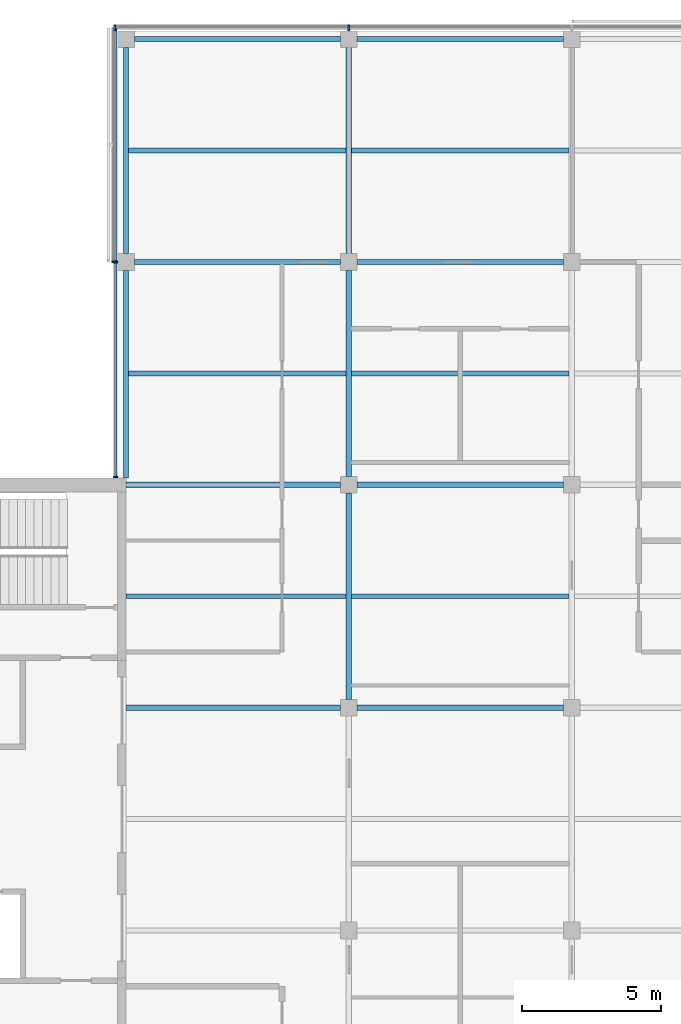
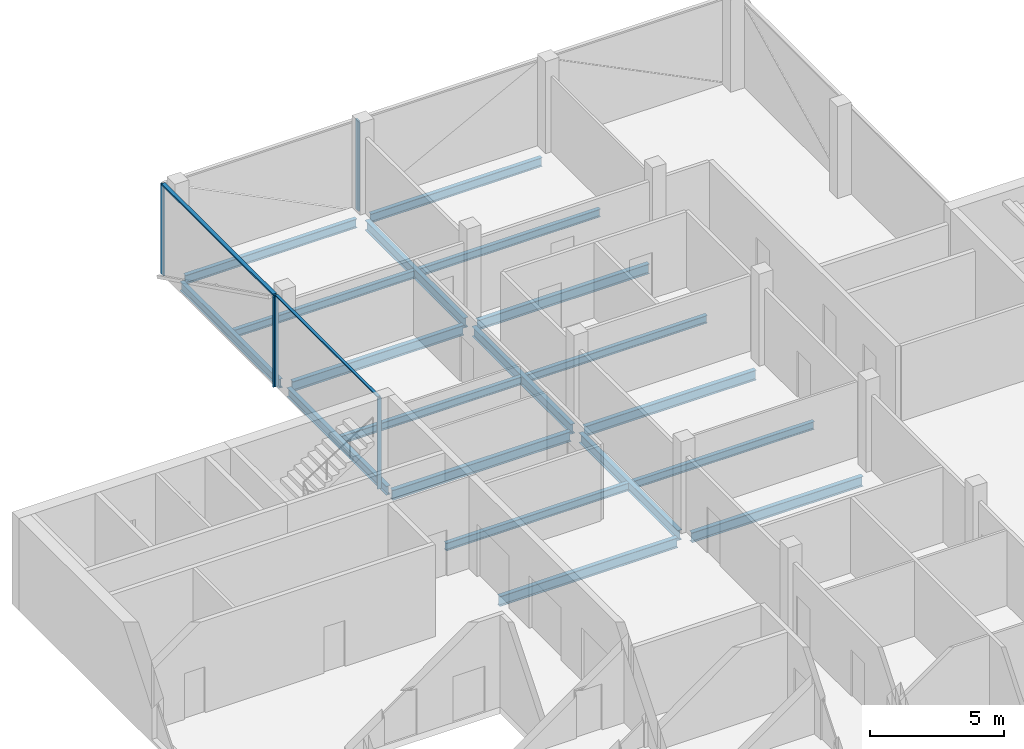
# One storey, part 5 of 16: 19 beams, 7 members, 3 elements without a shape of their own.
"""IFC4 building model written with IfcOpenShell, lengths in metres."""

from ifc_helpers import new_model, si_unit, direction, frame, origin, origin_2d, place, context, subcontext, project, spatial, rectangle, i_section, extrude, material, material_profile, profile_set, type_object, element, aggregate, save


model = new_model("IFC4")

# Units and contexts
model_context = context("Model", 3, precision=1e-05, world=origin(), true_north=direction((0.0, 1.0)))
body_context = subcontext(model_context, "Body", "Model", "MODEL_VIEW")
ifc_project = project(units=[si_unit("LENGTHUNIT", "METRE"), si_unit("AREAUNIT", "SQUARE_METRE"), si_unit("VOLUMEUNIT", "CUBIC_METRE"), si_unit("PLANEANGLEUNIT", "RADIAN"), si_unit("MASSUNIT", "GRAM", prefix="KILO")], contexts=[model_context])

# Site, building, storey
site_placement = place(None, origin())
site = spatial("IfcSite", under=ifc_project, at=site_placement, CompositionType="ELEMENT")
building_placement = place(site_placement, origin())
building = spatial("IfcBuilding", under=site, at=building_placement, Name="Crosswind Convention Tower", CompositionType="ELEMENT")
storey_placement = place(building_placement, frame((0.0, 0.0, 336.5)))
storey = spatial("IfcBuildingStorey", under=building, at=storey_placement, Name="L73", CompositionType="ELEMENT", Elevation=336.5)

# Beams
ifc_material_1 = material(Name="Steel S355", Category="steel")
ifc_material_profile_1 = material_profile(ifc_material_1, i_section(OverallWidth=0.177734375, OverallDepth=0.406494140625, WebThickness=0.0078125, FlangeThickness=0.0126953125, FilletRadius=0.01025390625, at=origin_2d()), Name="UB 406x178x60")
ifc_profile_set_1 = profile_set([ifc_material_profile_1], Name="Steel S355")
beam_type_1 = type_object("IfcBeamType", Name="Edge beam UB 406x178x60", PredefinedType="SPANDREL", material=ifc_profile_set_1)
beam_1_placement = place(storey_placement, frame((113.0, 112.25, -0.503173828125), z_axis=(0.0, 1.0, 0.0), x_axis=(-1.0, 0.0, 0.0)))
element("IfcBeam", 1, at=beam_1_placement, inside=storey, type_object=beam_type_1, Name="B15 L73 edge beam 3", PredefinedType="SPANDREL", context=body_context, shape_type="SweptSolid", body=[
    extrude(i_section(OverallWidth=0.177734375, OverallDepth=0.406494140625, WebThickness=0.0078125, FlangeThickness=0.0126953125, FilletRadius=0.01025390625, at=origin_2d()), origin(), (0.0, 0.0, 1.0), 7.449951171875),
])
for number, where, z_axis, x_axis, name in (
    (2, (113.0, 120.300048828125, -0.503173828125), (0.0, 1.0, 0.0), (-1.0, 0.0, 0.0), "B15 L73 edge beam 4"),
    (3, (113.300048828125, 128.0, -0.503173828125), (1.0, 0.0, 0.0), (0.0, 1.0, 0.0), "B15 L73 edge beam 6"),
    (4, (121.300048828125, 128.0, -0.503173828125), (1.0, 0.0, 0.0), (0.0, 1.0, 0.0), "B15 L73 edge beam 8"),
):
    element("IfcBeam", number, at=place(storey_placement, frame(where, z_axis=z_axis, x_axis=x_axis)), inside=storey, type_object=beam_type_1, Name=name, PredefinedType="SPANDREL", context=body_context, shape_type="SweptSolid", body=[
        extrude(i_section(OverallWidth=0.177734375, OverallDepth=0.406494140625, WebThickness=0.0078125, FlangeThickness=0.0126953125, FilletRadius=0.01025390625, at=origin_2d()), origin(), (0.0, 0.0, 1.0), 7.39990234375),
    ])
ifc_material_profile_2 = material_profile(ifc_material_1, i_section(OverallWidth=0.18994140625, OverallDepth=0.45361328125, WebThickness=0.008544921875, FlangeThickness=0.0126953125, FilletRadius=0.01025390625, at=origin_2d()), Name="UB 457x191x67")
ifc_profile_set_2 = profile_set([ifc_material_profile_2], Name="Steel S355")
beam_type_2 = type_object("IfcBeamType", Name="Girder UB 457x191x67", PredefinedType="BEAM", material=ifc_profile_set_2)
for number, where, z_axis, x_axis, name in (
    (5, (113.300048828125, 120.0, -0.52685546875), (1.0, 0.0, 0.0), (0.0, 1.0, 0.0), "B1 L73 girder 2"),
    (6, (121.0, 104.300048828125, -0.52685546875), (0.0, 1.0, 0.0), (-1.0, 0.0, 0.0), "B1 L73 girder 7"),
    (7, (121.0, 112.300048828125, -0.52685546875), (0.0, 1.0, 0.0), (-1.0, 0.0, 0.0), "B1 L73 girder 8"),
    (8, (121.0, 120.300048828125, -0.52685546875), (0.0, 1.0, 0.0), (-1.0, 0.0, 0.0), "B1 L73 girder 9"),
    (9, (121.300048828125, 104.0, -0.52685546875), (1.0, 0.0, 0.0), (0.0, 1.0, 0.0), "B1 L73 girder 13"),
    (10, (121.300048828125, 112.0, -0.52685546875), (1.0, 0.0, 0.0), (0.0, 1.0, 0.0), "B1 L73 girder 14"),
    (11, (121.300048828125, 120.0, -0.52685546875), (1.0, 0.0, 0.0), (0.0, 1.0, 0.0), "B1 L73 girder 15"),
):
    element("IfcBeam", number, at=place(storey_placement, frame(where, z_axis=z_axis, x_axis=x_axis)), inside=storey, type_object=beam_type_2, Name=name, PredefinedType="BEAM", context=body_context, shape_type="SweptSolid", body=[
        extrude(i_section(OverallWidth=0.18994140625, OverallDepth=0.45361328125, WebThickness=0.008544921875, FlangeThickness=0.0126953125, FilletRadius=0.01025390625, at=origin_2d()), origin(), (0.0, 0.0, 1.0), 7.39990234375),
    ])
ifc_material_profile_3 = material_profile(ifc_material_1, i_section(OverallWidth=0.1904296875, OverallDepth=0.457275390625, WebThickness=0.009033203125, FlangeThickness=0.014404296875, FilletRadius=0.01025390625, at=origin_2d()), Name="UB 457x191x75")
ifc_profile_set_3 = profile_set([ifc_material_profile_3], Name="Steel S355")
beam_type_3 = type_object("IfcBeamType", Name="Girder at core wall UB 457x191x75", PredefinedType="BEAM", material=ifc_profile_set_3)
for number, where, z_axis, x_axis, name in (
    (12, (113.0, 104.0, -0.528564453125), (1.0, 0.0, 0.0), (0.0, 1.0, 0.0), "B22 L73 girder at core wall 3"),
    (13, (113.0, 112.0, -0.528564453125), (1.0, 0.0, 0.0), (0.0, 1.0, 0.0), "B22 L73 girder at core wall 4"),
):
    element("IfcBeam", number, at=place(storey_placement, frame(where, z_axis=z_axis, x_axis=x_axis)), inside=storey, type_object=beam_type_3, Name=name, PredefinedType="BEAM", context=body_context, shape_type="SweptSolid", body=[
        extrude(i_section(OverallWidth=0.1904296875, OverallDepth=0.457275390625, WebThickness=0.009033203125, FlangeThickness=0.014404296875, FilletRadius=0.01025390625, at=origin_2d()), origin(), (0.0, 0.0, 1.0), 7.699951171875),
    ])

# Curtain wall, members
ifc_material_2 = material(Name="Aluminium unitised curtain wall", Category="aluminium")
curtain_wall_type_1 = type_object("IfcCurtainWallType", Name="CORE END SLOT WALL 160", PredefinedType="USERDEFINED", material=ifc_material_2)
curtain_wall_1_placement = place(storey_placement, origin())
curtain_wall_1 = element("IfcCurtainWall", 14, at=curtain_wall_1_placement, inside=storey, type_object=curtain_wall_type_1, Name="CW6 L73 N-W.1-2 slot", ObjectType="UNITISED", PredefinedType="USERDEFINED")
ifc_material_3 = material(Name="Aluminium mullion", Category="aluminium")
ifc_material_profile_4 = material_profile(ifc_material_3, rectangle(XDim=0.159912109375, YDim=0.050048828125, at=origin_2d()), Name="AL 160X50")
ifc_profile_set_4 = profile_set([ifc_material_profile_4], Name="Aluminium mullion")
member_type_1 = type_object("IfcMemberType", Name="MULLION 50X160", PredefinedType="MULLION", material=ifc_profile_set_4)
member_1_placement = place(storey_placement, frame((112.6201171875, 119.97509765625, -0.300048828125), z_axis=(0.0, 0.0, 1.0), x_axis=(-1.0, 0.0, 0.0)))
member_1 = element("IfcMember", 15, at=member_1_placement, type_object=member_type_1, Name="CW6 mullion 1", PredefinedType="MULLION", context=body_context, shape_type="SweptSolid", body=[
    extrude(rectangle(XDim=0.159912109375, YDim=0.050048828125, at=origin_2d()), origin(), (0.0, 0.0, 1.0), 4.150146484375),
])
member_2_placement = place(storey_placement, frame((112.6201171875, 112.27490234375, -0.300048828125), z_axis=(0.0, 0.0, 1.0), x_axis=(-1.0, 0.0, 0.0)))
member_2 = element("IfcMember", 16, at=member_2_placement, type_object=member_type_1, Name="CW6 mullion 2", PredefinedType="MULLION", context=body_context, shape_type="SweptSolid", body=[
    extrude(rectangle(XDim=0.159912109375, YDim=0.050048828125, at=origin_2d()), origin(), (0.0, 0.0, 1.0), 4.150146484375),
])

curtain_wall_type_2 = type_object("IfcCurtainWallType", Name="OFFICE UNITISED WALL 220", PredefinedType="USERDEFINED", material=ifc_material_2)
curtain_wall_2_placement = place(storey_placement, origin())
curtain_wall_2 = element("IfcCurtainWall", 17, at=curtain_wall_2_placement, inside=storey, type_object=curtain_wall_type_2, Name="CW3 L73 N-TIP 1", ObjectType="UNITISED", PredefinedType="USERDEFINED")
ifc_material_profile_5 = material_profile(ifc_material_3, rectangle(XDim=0.219970703125, YDim=0.070068359375, at=origin_2d()), Name="AL 220X70")
ifc_profile_set_5 = profile_set([ifc_material_profile_5], Name="Aluminium mullion")
member_type_2 = type_object("IfcMemberType", Name="MULLION 70X220", PredefinedType="MULLION", material=ifc_profile_set_5)
member_3_placement = place(storey_placement, frame((121.0, 128.409912109375, -0.300048828125), z_axis=(0.0, 0.0, 1.0), x_axis=(0.0, 1.0, 0.0)))
member_3 = element("IfcMember", 18, at=member_3_placement, type_object=member_type_2, Name="CW3 mullion 3", PredefinedType="MULLION", context=body_context, shape_type="SweptSolid", body=[
    extrude(rectangle(XDim=0.219970703125, YDim=0.070068359375, at=origin_2d()), origin(), (0.0, 0.0, 1.0), 4.130126953125),
])
member_4_placement = place(storey_placement, frame((112.590087890625, 128.409912109375, -0.300048828125), z_axis=(0.0, 0.0, 1.0), x_axis=(0.0, 1.0, 0.0)))
member_4 = element("IfcMember", 19, at=member_4_placement, type_object=member_type_2, Name="CW3 mullion 4", PredefinedType="MULLION", context=body_context, shape_type="SweptSolid", body=[
    extrude(rectangle(XDim=0.219970703125, YDim=0.070068359375, at=origin_2d()), origin(), (0.0, 0.0, 1.0), 4.130126953125),
])
aggregate(curtain_wall_2, [member_3, member_4])

# Curtain wall, member
curtain_wall_3_placement = place(storey_placement, origin())
curtain_wall_3 = element("IfcCurtainWall", 20, at=curtain_wall_3_placement, inside=storey, type_object=curtain_wall_type_2, Name="CW3 L73 N-W 1", ObjectType="UNITISED", PredefinedType="USERDEFINED")
member_5_placement = place(storey_placement, frame((112.590087890625, 120.0, -0.300048828125), z_axis=(0.0, 0.0, 1.0), x_axis=(-1.0, 0.0, 0.0)))
member_5 = element("IfcMember", 21, at=member_5_placement, type_object=member_type_2, Name="CW3 mullion 2", PredefinedType="MULLION", context=body_context, shape_type="SweptSolid", body=[
    extrude(rectangle(XDim=0.219970703125, YDim=0.070068359375, at=origin_2d()), origin(), (0.0, 0.0, 1.0), 4.130126953125),
])

# Beams
ifc_material_profile_6 = material_profile(ifc_material_1, i_section(OverallWidth=0.17138671875, OverallDepth=0.355712890625, WebThickness=0.00732421875, FlangeThickness=0.011474609375, FilletRadius=0.01025390625, at=origin_2d()), Name="UB 356x171x51")
ifc_profile_set_6 = profile_set([ifc_material_profile_6], Name="Steel S355")
beam_type_4 = type_object("IfcBeamType", Name="Secondary beam UB 356x171x51", PredefinedType="JOIST", material=ifc_profile_set_6)
beam_2_placement = place(storey_placement, frame((113.0, 108.0, -0.477783203125), z_axis=(1.0, 0.0, 0.0), x_axis=(0.0, 1.0, 0.0)))
element("IfcBeam", 22, at=beam_2_placement, inside=storey, type_object=beam_type_4, Name="B8 L73 secondary beam 3", PredefinedType="JOIST", context=body_context, shape_type="SweptSolid", body=[
    extrude(i_section(OverallWidth=0.17138671875, OverallDepth=0.355712890625, WebThickness=0.00732421875, FlangeThickness=0.011474609375, FilletRadius=0.01025390625, at=origin_2d()), origin(), (0.0, 0.0, 1.0), 7.905029296875),
])
for number, where, z_axis, x_axis, name in (
    (23, (113.0888671875, 116.0, -0.477783203125), (1.0, 0.0, 0.0), (0.0, 1.0, 0.0), "B8 L73 secondary beam 6"),
    (24, (113.0888671875, 124.0, -0.477783203125), (1.0, 0.0, 0.0), (0.0, 1.0, 0.0), "B8 L73 secondary beam 7"),
):
    element("IfcBeam", number, at=place(storey_placement, frame(where, z_axis=z_axis, x_axis=x_axis)), inside=storey, type_object=beam_type_4, Name=name, PredefinedType="JOIST", context=body_context, shape_type="SweptSolid", body=[
        extrude(i_section(OverallWidth=0.17138671875, OverallDepth=0.355712890625, WebThickness=0.00732421875, FlangeThickness=0.011474609375, FilletRadius=0.01025390625, at=origin_2d()), origin(), (0.0, 0.0, 1.0), 7.816162109375),
    ])
for number, where, z_axis, x_axis, name in (
    (25, (121.094970703125, 108.0, -0.477783203125), (1.0, 0.0, 0.0), (0.0, 1.0, 0.0), "B8 L73 secondary beam 12"),
    (26, (121.094970703125, 116.0, -0.477783203125), (1.0, 0.0, 0.0), (0.0, 1.0, 0.0), "B8 L73 secondary beam 13"),
    (27, (121.094970703125, 124.0, -0.477783203125), (1.0, 0.0, 0.0), (0.0, 1.0, 0.0), "B8 L73 secondary beam 14"),
):
    element("IfcBeam", number, at=place(storey_placement, frame(where, z_axis=z_axis, x_axis=x_axis)), inside=storey, type_object=beam_type_4, Name=name, PredefinedType="JOIST", context=body_context, shape_type="SweptSolid", body=[
        extrude(i_section(OverallWidth=0.17138671875, OverallDepth=0.355712890625, WebThickness=0.00732421875, FlangeThickness=0.011474609375, FilletRadius=0.01025390625, at=origin_2d()), origin(), (0.0, 0.0, 1.0), 7.81005859375),
    ])

# Member
ifc_material_4 = material(Name="Aluminium transom", Category="aluminium")
ifc_material_profile_7 = material_profile(ifc_material_4, rectangle(XDim=0.1201171875, YDim=0.050048828125, at=origin_2d()), Name="AL 120X50")
ifc_profile_set_7 = profile_set([ifc_material_profile_7], Name="Aluminium transom")
member_type_3 = type_object("IfcMemberType", Name="TRANSOM 50X120", PredefinedType="USERDEFINED", material=ifc_profile_set_7)
member_6_placement = place(storey_placement, frame((112.6201171875, 119.949951171875, 3.875), z_axis=(0.0, -1.0, 0.0), x_axis=(1.0, 0.0, 0.0)))
member_6 = element("IfcMember", 28, at=member_6_placement, type_object=member_type_3, Name="CW6 transom", ObjectType="TRANSOM", PredefinedType="USERDEFINED", context=body_context, shape_type="SweptSolid", body=[
    extrude(rectangle(XDim=0.1201171875, YDim=0.050048828125, at=origin_2d()), origin(), (0.0, 0.0, 1.0), 7.64990234375),
])

aggregate(curtain_wall_1, [member_1, member_2, member_6])

ifc_material_profile_8 = material_profile(ifc_material_4, rectangle(XDim=0.159912109375, YDim=0.070068359375, at=origin_2d()), Name="AL 160X70")
ifc_profile_set_8 = profile_set([ifc_material_profile_8], Name="Aluminium transom")
member_type_4 = type_object("IfcMemberType", Name="TRANSOM 70X160", PredefinedType="USERDEFINED", material=ifc_profile_set_8)
member_7_placement = place(storey_placement, frame((112.590087890625, 128.375, 3.864990234375), z_axis=(0.0, -1.0, 0.0), x_axis=(1.0, 0.0, 0.0)))
member_7 = element("IfcMember", 29, at=member_7_placement, type_object=member_type_4, Name="CW3 transom", ObjectType="TRANSOM", PredefinedType="USERDEFINED", context=body_context, shape_type="SweptSolid", body=[
    extrude(rectangle(XDim=0.159912109375, YDim=0.070068359375, at=origin_2d()), origin(), (0.0, 0.0, 1.0), 8.340087890625),
])

aggregate(curtain_wall_3, [member_5, member_7])

save(model, "model.ifc")
